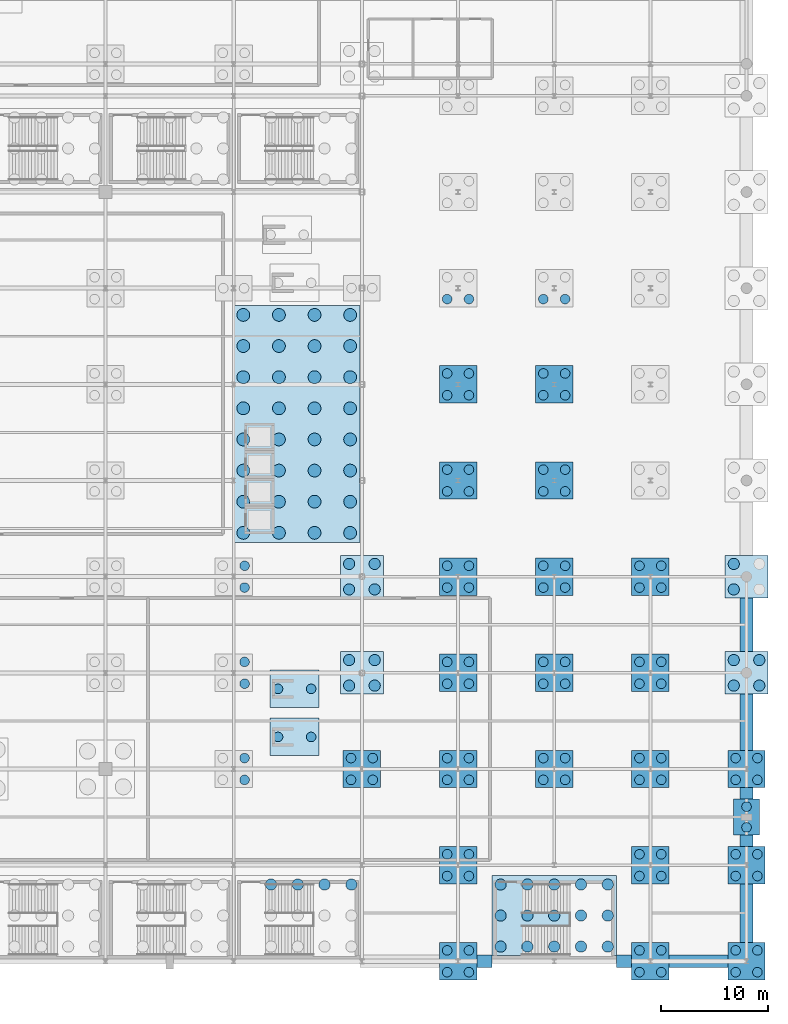
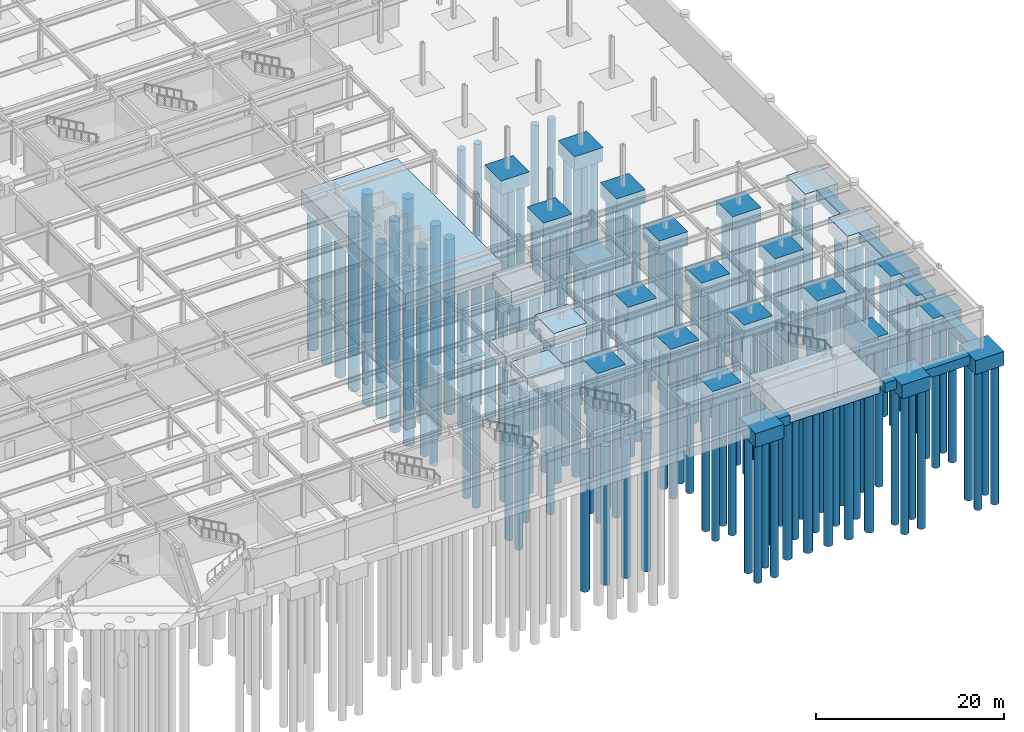
# One storey, part 6 of 47: 165 piles, 38 footings.
"""IFC4 building model written with IfcOpenShell, lengths in metres."""

from ifc_helpers import new_model, si_unit, direction, frame, origin, origin_2d, place, context, subcontext, project, spatial, rectangle, circle, extrude, material, material_profile, profile_set, type_object, element, save


model = new_model("IFC4")

# Units and contexts
model_context = context("Model", 3, precision=1e-05, world=origin(), true_north=direction((0.0, 1.0)))
body_context = subcontext(model_context, "Body", "Model", "MODEL_VIEW")
ifc_project = project(units=[si_unit("LENGTHUNIT", "METRE"), si_unit("AREAUNIT", "SQUARE_METRE"), si_unit("VOLUMEUNIT", "CUBIC_METRE"), si_unit("PLANEANGLEUNIT", "RADIAN"), si_unit("MASSUNIT", "GRAM", prefix="KILO")], contexts=[model_context])

# Site, building, storey
site_placement = place(None, origin())
site = spatial("IfcSite", under=ifc_project, at=site_placement, CompositionType="ELEMENT")
building_placement = place(site_placement, origin())
building = spatial("IfcBuilding", under=site, at=building_placement, Name="Kaldorvane Square Convention Centre", CompositionType="ELEMENT")
storey_placement = place(building_placement, frame((0.0, 0.0, -5.399993896484375)))
storey = spatial("IfcBuildingStorey", under=building, at=storey_placement, Name="B01", CompositionType="ELEMENT", Elevation=-5.399993896484375)

# Footings
ifc_material = material(Name="Concrete f'c = 42 MPa (Normalweight)", Category="concrete")
footing_type_1 = type_object("IfcFootingType", Name="FT-FB-1200X1200", PredefinedType="FOOTING_BEAM", material=ifc_material)
for number, where, z_axis, x_axis, name in (
    (1, (149.4550018310547, 0.0, -1.20001220703125), (0.0, 0.0, 1.0), (1.0, 0.0, 0.0), "Seismic Footing Beam 007"),
    (2, (162.5449981689453, 0.0, -1.20001220703125), (0.0, 0.0, 1.0), (1.0, 0.0, 0.0), "Seismic Footing Beam 008"),
):
    element("IfcFooting", number, at=place(storey_placement, frame(where, z_axis=z_axis, x_axis=x_axis)), inside=storey, type_object=footing_type_1, Name=name, PredefinedType="FOOTING_BEAM", context=body_context, shape_type="SweptSolid", body=[
        extrude(rectangle(XDim=1.410003662109375, YDim=1.1999969482421875, at=origin_2d()), origin(), (0.0, 0.0, 1.0), 1.1999969482421875),
    ])
footing_1_placement = place(storey_placement, frame((169.5, 0.0, -1.20001220703125), z_axis=(0.0, 0.0, 1.0), x_axis=(1.0, 0.0, 0.0)))
element("IfcFooting", 3, at=footing_1_placement, inside=storey, type_object=footing_type_1, Name="Seismic Footing Beam 009", PredefinedType="FOOTING_BEAM", context=body_context, shape_type="SweptSolid", body=[
    extrude(rectangle(XDim=5.5, YDim=1.1999969482421875, at=origin_2d()), origin(), (0.0, 0.0, 1.0), 1.1999969482421875),
])
footing_2_placement = place(storey_placement, frame((174.0, 4.5, -1.20001220703125), z_axis=(0.0, 0.0, 1.0), x_axis=(1.0, 0.0, 0.0)))
element("IfcFooting", 4, at=footing_2_placement, inside=storey, type_object=footing_type_1, Name="Seismic Footing Beam 045", PredefinedType="FOOTING_BEAM", context=body_context, shape_type="SweptSolid", body=[
    extrude(rectangle(XDim=1.1999969482421875, YDim=5.5, at=origin_2d()), origin(), (0.0, 0.0, 1.0), 1.1999969482421875),
])
for number, where, z_axis, x_axis, name in (
    (5, (174.0, 11.274993896484375, -1.20001220703125), (0.0, 0.0, 1.0), (1.0, 0.0, 0.0), "Seismic Footing Beam 046"),
    (6, (174.0, 15.725006103515625, -1.20001220703125), (0.0, 0.0, 1.0), (1.0, 0.0, 0.0), "Seismic Footing Beam 047"),
):
    element("IfcFooting", number, at=place(storey_placement, frame(where, z_axis=z_axis, x_axis=x_axis)), inside=storey, type_object=footing_type_1, Name=name, PredefinedType="FOOTING_BEAM", context=body_context, shape_type="SweptSolid", body=[
        extrude(rectangle(XDim=1.1999969482421875, YDim=1.0500030517578125, at=origin_2d()), origin(), (0.0, 0.0, 1.0), 1.1999969482421875),
    ])
footing_3_placement = place(storey_placement, frame((174.0, 22.375, -1.20001220703125), z_axis=(0.0, 0.0, 1.0), x_axis=(1.0, 0.0, 0.0)))
element("IfcFooting", 7, at=footing_3_placement, inside=storey, type_object=footing_type_1, Name="Seismic Footing Beam 048", PredefinedType="FOOTING_BEAM", context=body_context, shape_type="SweptSolid", body=[
    extrude(rectangle(XDim=1.1999969482421875, YDim=5.25, at=origin_2d()), origin(), (0.0, 0.0, 1.0), 1.1999969482421875),
])
footing_4_placement = place(storey_placement, frame((174.0, 31.5, -1.20001220703125), z_axis=(0.0, 0.0, 1.0), x_axis=(1.0, 0.0, 0.0)))
element("IfcFooting", 8, at=footing_4_placement, inside=storey, type_object=footing_type_1, Name="Seismic Footing Beam 049", PredefinedType="FOOTING_BEAM", context=body_context, shape_type="SweptSolid", body=[
    extrude(rectangle(XDim=1.1999969482421875, YDim=5.0, at=origin_2d()), origin(), (0.0, 0.0, 1.0), 1.1999969482421875),
])
footing_type_2 = type_object("IfcFootingType", Name="FT-PC-2400X3400", PredefinedType="PILE_CAP", material=ifc_material)
footing_5_placement = place(storey_placement, frame((174.0, 13.5, -1.6500091552734375), z_axis=(0.0, 0.0, 1.0), x_axis=(1.0, 0.0, 0.0)))
element("IfcFooting", 9, at=footing_5_placement, inside=storey, type_object=footing_type_2, Name="Pile Cap FC-39-270", PredefinedType="PILE_CAP", context=body_context, shape_type="SweptSolid", body=[
    extrude(rectangle(XDim=2.399993896484375, YDim=3.399993896484375, at=origin_2d()), origin(), (0.0, 0.0, 1.0), 1.649993896484375),
])
footing_type_3 = type_object("IfcFootingType", Name="FT-PC-3500X3500", PredefinedType="PILE_CAP", material=ifc_material)
for number, where, z_axis, x_axis, name in (
    (10, (138.0, 18.0, -1.800018310546875), (0.0, 0.0, 1.0), (1.0, 0.0, 0.0), "Pile Cap FC-36-192"),
    (11, (147.0, 0.0, -1.800018310546875), (0.0, 0.0, 1.0), (1.0, 0.0, 0.0), "Pile Cap FC-36-204"),
    (12, (147.0, 9.0, -1.800018310546875), (0.0, 0.0, 1.0), (1.0, 0.0, 0.0), "Pile Cap FC-36-205"),
    (13, (147.0, 18.0, -1.800018310546875), (0.0, 0.0, 1.0), (1.0, 0.0, 0.0), "Pile Cap FC-36-206"),
    (14, (147.0, 27.0, -1.800018310546875), (0.0, 0.0, 1.0), (1.0, 0.0, 0.0), "Pile Cap FC-36-207"),
    (15, (147.0, 36.0, -1.800018310546875), (0.0, 0.0, 1.0), (1.0, 0.0, 0.0), "Pile Cap FC-36-208"),
    (16, (147.0, 45.0, -1.800018310546875), (0.0, 0.0, 1.0), (1.0, 0.0, 0.0), "Pile Cap FC-36-209"),
    (17, (147.0, 54.0, -1.800018310546875), (0.0, 0.0, 1.0), (1.0, 0.0, 0.0), "Pile Cap FC-36-210"),
    (18, (156.0, 18.0, -1.800018310546875), (0.0, 0.0, 1.0), (1.0, 0.0, 0.0), "Pile Cap FC-36-220"),
    (19, (156.0, 27.0, -1.800018310546875), (0.0, 0.0, 1.0), (1.0, 0.0, 0.0), "Pile Cap FC-36-221"),
    (20, (156.0, 36.0, -1.800018310546875), (0.0, 0.0, 1.0), (1.0, 0.0, 0.0), "Pile Cap FC-36-222"),
    (21, (156.0, 45.0, -1.800018310546875), (0.0, 0.0, 1.0), (1.0, 0.0, 0.0), "Pile Cap FC-36-223"),
    (22, (156.0, 54.0, -1.800018310546875), (0.0, 0.0, 1.0), (1.0, 0.0, 0.0), "Pile Cap FC-36-224"),
    (23, (165.0, 0.0, -1.800018310546875), (0.0, 0.0, 1.0), (1.0, 0.0, 0.0), "Pile Cap FC-36-232"),
    (24, (165.0, 9.0, -1.800018310546875), (0.0, 0.0, 1.0), (1.0, 0.0, 0.0), "Pile Cap FC-36-233"),
    (25, (165.0, 18.0, -1.800018310546875), (0.0, 0.0, 1.0), (1.0, 0.0, 0.0), "Pile Cap FC-36-234"),
    (26, (165.0, 27.0, -1.800018310546875), (0.0, 0.0, 1.0), (1.0, 0.0, 0.0), "Pile Cap FC-36-235"),
    (27, (165.0, 36.0, -1.800018310546875), (0.0, 0.0, 1.0), (1.0, 0.0, 0.0), "Pile Cap FC-36-236"),
    (28, (174.0, 0.0, -1.800018310546875), (0.0, 0.0, 1.0), (1.0, 0.0, 0.0), "Pile Cap FC-36-246"),
    (29, (174.0, 9.0, -1.800018310546875), (0.0, 0.0, 1.0), (1.0, 0.0, 0.0), "Pile Cap FC-36-247"),
    (30, (174.0, 18.0, -1.800018310546875), (0.0, 0.0, 1.0), (1.0, 0.0, 0.0), "Pile Cap FC-36-248"),
):
    element("IfcFooting", number, at=place(storey_placement, frame(where, z_axis=z_axis, x_axis=x_axis)), inside=storey, type_object=footing_type_3, Name=name, PredefinedType="PILE_CAP", context=body_context, shape_type="SweptSolid", body=[
        extrude(rectangle(XDim=3.5, YDim=3.5, at=origin_2d()), origin(), (0.0, 0.0, 1.0), 1.8000030517578125),
    ])
footing_type_4 = type_object("IfcFootingType", Name="FT-PC-4000X4000", PredefinedType="PILE_CAP", material=ifc_material)
for number, where, z_axis, x_axis, name in (
    (31, (138.0, 27.0, -1.9000091552734375), (0.0, 0.0, 1.0), (1.0, 0.0, 0.0), "Pile Cap FC-35-193"),
    (32, (138.0, 36.0, -1.9000091552734375), (0.0, 0.0, 1.0), (1.0, 0.0, 0.0), "Pile Cap FC-35-194"),
    (33, (174.0, 27.0, -1.9000091552734375), (0.0, 0.0, 1.0), (1.0, 0.0, 0.0), "Pile Cap FC-35-249"),
    (34, (174.0, 36.0, -1.9000091552734375), (0.0, 0.0, 1.0), (1.0, 0.0, 0.0), "Pile Cap FC-35-250"),
):
    element("IfcFooting", number, at=place(storey_placement, frame(where, z_axis=z_axis, x_axis=x_axis)), inside=storey, type_object=footing_type_4, Name=name, PredefinedType="PILE_CAP", context=body_context, shape_type="SweptSolid", body=[
        extrude(rectangle(XDim=4.0, YDim=4.0, at=origin_2d()), origin(), (0.0, 0.0, 1.0), 1.899993896484375),
    ])
footing_type_5 = type_object("IfcFootingType", Name="FT-PC-CORE-CE", PredefinedType="PILE_CAP", material=ifc_material)
footing_6_placement = place(storey_placement, frame((131.89999389648438, 50.30000305175781, -2.20001220703125), z_axis=(0.0, 0.0, 1.0), x_axis=(1.0, 0.0, 0.0)))
element("IfcFooting", 35, at=footing_6_placement, inside=storey, type_object=footing_type_5, Name="Core Pile Cap FC-05", PredefinedType="PILE_CAP", context=body_context, shape_type="SweptSolid", body=[
    extrude(rectangle(XDim=11.800003051757812, YDim=22.199996948242188, at=origin_2d()), origin(), (0.0, 0.0, 1.0), 2.1999969482421875),
])
footing_type_6 = type_object("IfcFootingType", Name="FT-PC-FSTR-ST-F1", PredefinedType="PILE_CAP", material=ifc_material)
footing_7_placement = place(storey_placement, frame((131.6999969482422, 21.0, -1.800018310546875), z_axis=(0.0, 0.0, 1.0), x_axis=(1.0, 0.0, 0.0)))
element("IfcFooting", 36, at=footing_7_placement, inside=storey, type_object=footing_type_6, Name="Core Pile Cap FC-24", PredefinedType="PILE_CAP", context=body_context, shape_type="SweptSolid", body=[
    extrude(rectangle(XDim=4.600006103515625, YDim=3.5, at=origin_2d()), origin(), (0.0, 0.0, 1.0), 1.8000030517578125),
])
footing_type_7 = type_object("IfcFootingType", Name="FT-PC-FSTR-ST-F2", PredefinedType="PILE_CAP", material=ifc_material)
footing_8_placement = place(storey_placement, frame((131.6999969482422, 25.5, -1.800018310546875), z_axis=(0.0, 0.0, 1.0), x_axis=(1.0, 0.0, 0.0)))
element("IfcFooting", 37, at=footing_8_placement, inside=storey, type_object=footing_type_7, Name="Core Pile Cap FC-25", PredefinedType="PILE_CAP", context=body_context, shape_type="SweptSolid", body=[
    extrude(rectangle(XDim=4.600006103515625, YDim=3.5, at=origin_2d()), origin(), (0.0, 0.0, 1.0), 1.8000030517578125),
])
footing_type_8 = type_object("IfcFootingType", Name="FT-PC-STAIR-ST-C11", PredefinedType="PILE_CAP", material=ifc_material)
footing_9_placement = place(storey_placement, frame((156.0, 4.279998779296875, -1.95001220703125), z_axis=(0.0, 0.0, 1.0), x_axis=(1.0, 0.0, 0.0)))
element("IfcFooting", 38, at=footing_9_placement, inside=storey, type_object=footing_type_8, Name="Core Pile Cap FC-16", PredefinedType="PILE_CAP", context=body_context, shape_type="SweptSolid", body=[
    extrude(rectangle(XDim=11.67999267578125, YDim=7.4600067138671875, at=origin_2d()), origin(), (0.0, 0.0, 1.0), 1.9499969482421875),
])

# Piles
ifc_material_profile_1 = material_profile(ifc_material, circle(Radius=0.524993896484375, at=origin_2d()), Name="PILE-D1050")
ifc_profile_set_1 = profile_set([ifc_material_profile_1], Name="Concrete f'c = 42 MPa (Normalweight)")
pile_type_1 = type_object("IfcPileType", Name="PL-CIDH-1050", PredefinedType="BORED", material=ifc_profile_set_1)
for number, where, z_axis, x_axis, name in (
    (39, (129.49249267578125, 7.18499755859375, -2.100006103515625), (0.0, 0.0, -1.0), (1.0, 0.0, 0.0), "Bored Pile 0174"),
    (40, (132.0, 7.18499755859375, -2.100006103515625), (0.0, 0.0, -1.0), (1.0, 0.0, 0.0), "Bored Pile 0177"),
    (41, (134.50750732421875, 7.18499755859375, -2.100006103515625), (0.0, 0.0, -1.0), (1.0, 0.0, 0.0), "Bored Pile 0180"),
    (42, (137.01499938964844, 7.18499755859375, -2.100006103515625), (0.0, 0.0, -1.0), (1.0, 0.0, 0.0), "Bored Pile 0183"),
    (43, (150.98500061035156, 1.375, -1.95001220703125), (0.0, 0.0, -1.0), (1.0, 0.0, 0.0), "Bored Pile 0184"),
    (44, (150.98500061035156, 4.279998779296875, -1.95001220703125), (0.0, 0.0, -1.0), (1.0, 0.0, 0.0), "Bored Pile 0185"),
    (45, (150.98500061035156, 7.18499755859375, -1.95001220703125), (0.0, 0.0, -1.0), (1.0, 0.0, 0.0), "Bored Pile 0186"),
    (46, (153.49249267578125, 1.375, -1.95001220703125), (0.0, 0.0, -1.0), (1.0, 0.0, 0.0), "Bored Pile 0187"),
    (47, (153.49249267578125, 4.279998779296875, -1.95001220703125), (0.0, 0.0, -1.0), (1.0, 0.0, 0.0), "Bored Pile 0188"),
    (48, (153.49249267578125, 7.18499755859375, -1.95001220703125), (0.0, 0.0, -1.0), (1.0, 0.0, 0.0), "Bored Pile 0189"),
    (49, (156.0, 1.375, -1.95001220703125), (0.0, 0.0, -1.0), (1.0, 0.0, 0.0), "Bored Pile 0190"),
    (50, (156.0, 4.279998779296875, -1.95001220703125), (0.0, 0.0, -1.0), (1.0, 0.0, 0.0), "Bored Pile 0191"),
    (51, (156.0, 7.18499755859375, -1.95001220703125), (0.0, 0.0, -1.0), (1.0, 0.0, 0.0), "Bored Pile 0192"),
    (52, (158.50750732421875, 1.375, -1.95001220703125), (0.0, 0.0, -1.0), (1.0, 0.0, 0.0), "Bored Pile 0193"),
    (53, (158.50750732421875, 4.279998779296875, -1.95001220703125), (0.0, 0.0, -1.0), (1.0, 0.0, 0.0), "Bored Pile 0194"),
    (54, (158.50750732421875, 7.18499755859375, -1.95001220703125), (0.0, 0.0, -1.0), (1.0, 0.0, 0.0), "Bored Pile 0195"),
    (55, (161.01499938964844, 1.375, -1.95001220703125), (0.0, 0.0, -1.0), (1.0, 0.0, 0.0), "Bored Pile 0196"),
    (56, (161.01499938964844, 4.279998779296875, -1.95001220703125), (0.0, 0.0, -1.0), (1.0, 0.0, 0.0), "Bored Pile 0197"),
    (57, (161.01499938964844, 7.18499755859375, -1.95001220703125), (0.0, 0.0, -1.0), (1.0, 0.0, 0.0), "Bored Pile 0198"),
    (58, (136.80499267578125, 25.80499267578125, -1.9000091552734375), (0.0, 0.0, -1.0), (1.0, 0.0, 0.0), "Bored Pile 0838"),
    (59, (136.80499267578125, 28.19500732421875, -1.9000091552734375), (0.0, 0.0, -1.0), (1.0, 0.0, 0.0), "Bored Pile 0839"),
    (60, (139.19500732421875, 25.80499267578125, -1.9000091552734375), (0.0, 0.0, -1.0), (1.0, 0.0, 0.0), "Bored Pile 0840"),
    (61, (139.19500732421875, 28.19500732421875, -1.9000091552734375), (0.0, 0.0, -1.0), (1.0, 0.0, 0.0), "Bored Pile 0841"),
    (62, (136.80499267578125, 34.80499267578125, -1.9000091552734375), (0.0, 0.0, -1.0), (1.0, 0.0, 0.0), "Bored Pile 0842"),
    (63, (136.80499267578125, 37.19500732421875, -1.9000091552734375), (0.0, 0.0, -1.0), (1.0, 0.0, 0.0), "Bored Pile 0843"),
    (64, (139.19500732421875, 34.80499267578125, -1.9000091552734375), (0.0, 0.0, -1.0), (1.0, 0.0, 0.0), "Bored Pile 0844"),
    (65, (139.19500732421875, 37.19500732421875, -1.9000091552734375), (0.0, 0.0, -1.0), (1.0, 0.0, 0.0), "Bored Pile 0845"),
    (66, (172.80499267578125, 25.80499267578125, -1.9000091552734375), (0.0, 0.0, -1.0), (1.0, 0.0, 0.0), "Bored Pile 1024"),
    (67, (172.80499267578125, 28.19500732421875, -1.9000091552734375), (0.0, 0.0, -1.0), (1.0, 0.0, 0.0), "Bored Pile 1025"),
    (68, (175.19500732421875, 25.80499267578125, -1.9000091552734375), (0.0, 0.0, -1.0), (1.0, 0.0, 0.0), "Bored Pile 1026"),
    (69, (175.19500732421875, 28.19500732421875, -1.9000091552734375), (0.0, 0.0, -1.0), (1.0, 0.0, 0.0), "Bored Pile 1027"),
    (70, (172.80499267578125, 34.80499267578125, -1.9000091552734375), (0.0, 0.0, -1.0), (1.0, 0.0, 0.0), "Bored Pile 1028"),
    (71, (172.80499267578125, 37.19500732421875, -1.9000091552734375), (0.0, 0.0, -1.0), (1.0, 0.0, 0.0), "Bored Pile 1029"),
):
    element("IfcPile", number, at=place(storey_placement, frame(where, z_axis=z_axis, x_axis=x_axis)), inside=storey, type_object=pile_type_1, Name=name, PredefinedType="BORED", context=body_context, shape_type="SweptSolid", body=[
        extrude(circle(Radius=0.524993896484375, at=origin_2d()), origin(), (0.0, 0.0, 1.0), 18.0),
    ])
ifc_material_profile_2 = material_profile(ifc_material, circle(Radius=0.600006103515625, at=origin_2d()), Name="PILE-D1200")
ifc_profile_set_2 = profile_set([ifc_material_profile_2], Name="Concrete f'c = 42 MPa (Normalweight)")
pile_type_2 = type_object("IfcPileType", Name="PL-CIDH-1200", PredefinedType="BORED", material=ifc_profile_set_2)
for number, where, z_axis, x_axis, name in (
    (72, (126.89999389648438, 40.100006103515625, -2.20001220703125), (0.0, 0.0, -1.0), (1.0, 0.0, 0.0), "Bored Pile 0029"),
    (73, (126.89999389648438, 43.01429748535156, -2.20001220703125), (0.0, 0.0, -1.0), (1.0, 0.0, 0.0), "Bored Pile 0030"),
    (74, (126.89999389648438, 45.92860412597656, -2.20001220703125), (0.0, 0.0, -1.0), (1.0, 0.0, 0.0), "Bored Pile 0031"),
    (75, (126.89999389648438, 48.8428955078125, -2.20001220703125), (0.0, 0.0, -1.0), (1.0, 0.0, 0.0), "Bored Pile 0032"),
    (76, (126.89999389648438, 51.75709533691406, -2.20001220703125), (0.0, 0.0, -1.0), (1.0, 0.0, 0.0), "Bored Pile 0033"),
    (77, (126.89999389648438, 54.67140197753906, -2.20001220703125), (0.0, 0.0, -1.0), (1.0, 0.0, 0.0), "Bored Pile 0034"),
    (78, (126.89999389648438, 57.585693359375, -2.20001220703125), (0.0, 0.0, -1.0), (1.0, 0.0, 0.0), "Bored Pile 0035"),
    (79, (126.89999389648438, 60.5, -2.20001220703125), (0.0, 0.0, -1.0), (1.0, 0.0, 0.0), "Bored Pile 0036"),
    (80, (130.23330688476562, 40.100006103515625, -2.20001220703125), (0.0, 0.0, -1.0), (1.0, 0.0, 0.0), "Bored Pile 0037"),
    (81, (130.23330688476562, 43.01429748535156, -2.20001220703125), (0.0, 0.0, -1.0), (1.0, 0.0, 0.0), "Bored Pile 0038"),
    (82, (130.23330688476562, 45.92860412597656, -2.20001220703125), (0.0, 0.0, -1.0), (1.0, 0.0, 0.0), "Bored Pile 0039"),
    (83, (130.23330688476562, 48.8428955078125, -2.20001220703125), (0.0, 0.0, -1.0), (1.0, 0.0, 0.0), "Bored Pile 0040"),
    (84, (130.23330688476562, 51.75709533691406, -2.20001220703125), (0.0, 0.0, -1.0), (1.0, 0.0, 0.0), "Bored Pile 0041"),
    (85, (130.23330688476562, 54.67140197753906, -2.20001220703125), (0.0, 0.0, -1.0), (1.0, 0.0, 0.0), "Bored Pile 0042"),
    (86, (130.23330688476562, 57.585693359375, -2.20001220703125), (0.0, 0.0, -1.0), (1.0, 0.0, 0.0), "Bored Pile 0043"),
    (87, (130.23330688476562, 60.5, -2.20001220703125), (0.0, 0.0, -1.0), (1.0, 0.0, 0.0), "Bored Pile 0044"),
    (88, (133.5666961669922, 40.100006103515625, -2.20001220703125), (0.0, 0.0, -1.0), (1.0, 0.0, 0.0), "Bored Pile 0045"),
    (89, (133.5666961669922, 43.01429748535156, -2.20001220703125), (0.0, 0.0, -1.0), (1.0, 0.0, 0.0), "Bored Pile 0046"),
    (90, (133.5666961669922, 45.92860412597656, -2.20001220703125), (0.0, 0.0, -1.0), (1.0, 0.0, 0.0), "Bored Pile 0047"),
    (91, (133.5666961669922, 48.8428955078125, -2.20001220703125), (0.0, 0.0, -1.0), (1.0, 0.0, 0.0), "Bored Pile 0048"),
    (92, (133.5666961669922, 51.75709533691406, -2.20001220703125), (0.0, 0.0, -1.0), (1.0, 0.0, 0.0), "Bored Pile 0049"),
    (93, (133.5666961669922, 54.67140197753906, -2.20001220703125), (0.0, 0.0, -1.0), (1.0, 0.0, 0.0), "Bored Pile 0050"),
    (94, (133.5666961669922, 57.585693359375, -2.20001220703125), (0.0, 0.0, -1.0), (1.0, 0.0, 0.0), "Bored Pile 0051"),
    (95, (133.5666961669922, 60.5, -2.20001220703125), (0.0, 0.0, -1.0), (1.0, 0.0, 0.0), "Bored Pile 0052"),
    (96, (136.89999389648438, 40.100006103515625, -2.20001220703125), (0.0, 0.0, -1.0), (1.0, 0.0, 0.0), "Bored Pile 0053"),
    (97, (136.89999389648438, 43.01429748535156, -2.20001220703125), (0.0, 0.0, -1.0), (1.0, 0.0, 0.0), "Bored Pile 0054"),
    (98, (136.89999389648438, 45.92860412597656, -2.20001220703125), (0.0, 0.0, -1.0), (1.0, 0.0, 0.0), "Bored Pile 0055"),
    (99, (136.89999389648438, 48.8428955078125, -2.20001220703125), (0.0, 0.0, -1.0), (1.0, 0.0, 0.0), "Bored Pile 0056"),
    (100, (136.89999389648438, 51.75709533691406, -2.20001220703125), (0.0, 0.0, -1.0), (1.0, 0.0, 0.0), "Bored Pile 0057"),
    (101, (136.89999389648438, 54.67140197753906, -2.20001220703125), (0.0, 0.0, -1.0), (1.0, 0.0, 0.0), "Bored Pile 0058"),
    (102, (136.89999389648438, 57.585693359375, -2.20001220703125), (0.0, 0.0, -1.0), (1.0, 0.0, 0.0), "Bored Pile 0059"),
    (103, (136.89999389648438, 60.5, -2.20001220703125), (0.0, 0.0, -1.0), (1.0, 0.0, 0.0), "Bored Pile 0060"),
):
    element("IfcPile", number, at=place(storey_placement, frame(where, z_axis=z_axis, x_axis=x_axis)), inside=storey, type_object=pile_type_2, Name=name, PredefinedType="BORED", context=body_context, shape_type="SweptSolid", body=[
        extrude(circle(Radius=0.600006103515625, at=origin_2d()), origin(), (0.0, 0.0, 1.0), 18.0),
    ])
ifc_material_profile_3 = material_profile(ifc_material, circle(Radius=0.4499969482421875, at=origin_2d()), Name="PILE-D900")
ifc_profile_set_3 = profile_set([ifc_material_profile_3], Name="Concrete f'c = 42 MPa (Normalweight)")
pile_type_3 = type_object("IfcPileType", Name="PL-CIDH-900", PredefinedType="BORED", material=ifc_profile_set_3)
for number, where, z_axis, x_axis, name in (
    (104, (130.14999389648438, 21.0, -1.8000030517578125), (0.0, 0.0, -1.0), (1.0, 0.0, 0.0), "Bored Pile 0296"),
    (105, (133.25, 21.0, -1.8000030517578125), (0.0, 0.0, -1.0), (1.0, 0.0, 0.0), "Bored Pile 0297"),
    (106, (130.14999389648438, 25.5, -1.8000030517578125), (0.0, 0.0, -1.0), (1.0, 0.0, 0.0), "Bored Pile 0298"),
    (107, (133.25, 25.5, -1.8000030517578125), (0.0, 0.0, -1.0), (1.0, 0.0, 0.0), "Bored Pile 0299"),
    (108, (127.02000427246094, 16.979995727539062, -1.8000030517578125), (0.0, 0.0, -1.0), (1.0, 0.0, 0.0), "Bored Pile 0806"),
    (109, (127.02000427246094, 19.020004272460938, -1.8000030517578125), (0.0, 0.0, -1.0), (1.0, 0.0, 0.0), "Bored Pile 0807"),
    (110, (127.02000427246094, 25.979995727539062, -1.8000030517578125), (0.0, 0.0, -1.0), (1.0, 0.0, 0.0), "Bored Pile 0810"),
    (111, (127.02000427246094, 28.020004272460938, -1.8000030517578125), (0.0, 0.0, -1.0), (1.0, 0.0, 0.0), "Bored Pile 0811"),
    (112, (127.02000427246094, 34.97999572753906, -1.8000030517578125), (0.0, 0.0, -1.0), (1.0, 0.0, 0.0), "Bored Pile 0814"),
    (113, (127.02000427246094, 37.02000427246094, -1.8000030517578125), (0.0, 0.0, -1.0), (1.0, 0.0, 0.0), "Bored Pile 0815"),
    (114, (136.97999572753906, 16.979995727539062, -1.8000030517578125), (0.0, 0.0, -1.0), (1.0, 0.0, 0.0), "Bored Pile 0834"),
    (115, (136.97999572753906, 19.020004272460938, -1.8000030517578125), (0.0, 0.0, -1.0), (1.0, 0.0, 0.0), "Bored Pile 0835"),
    (116, (139.02000427246094, 16.979995727539062, -1.8000030517578125), (0.0, 0.0, -1.0), (1.0, 0.0, 0.0), "Bored Pile 0836"),
    (117, (139.02000427246094, 19.020004272460938, -1.8000030517578125), (0.0, 0.0, -1.0), (1.0, 0.0, 0.0), "Bored Pile 0837"),
    (118, (145.97999572753906, -1.0200042724609375, -1.8000030517578125), (0.0, 0.0, -1.0), (1.0, 0.0, 0.0), "Bored Pile 0864"),
    (119, (145.97999572753906, 1.0200042724609375, -1.8000030517578125), (0.0, 0.0, -1.0), (1.0, 0.0, 0.0), "Bored Pile 0865"),
    (120, (148.02000427246094, -1.0200042724609375, -1.8000030517578125), (0.0, 0.0, -1.0), (1.0, 0.0, 0.0), "Bored Pile 0866"),
    (121, (148.02000427246094, 1.0200042724609375, -1.8000030517578125), (0.0, 0.0, -1.0), (1.0, 0.0, 0.0), "Bored Pile 0867"),
    (122, (145.97999572753906, 7.9799957275390625, -1.8000030517578125), (0.0, 0.0, -1.0), (1.0, 0.0, 0.0), "Bored Pile 0868"),
    (123, (145.97999572753906, 10.020004272460938, -1.8000030517578125), (0.0, 0.0, -1.0), (1.0, 0.0, 0.0), "Bored Pile 0869"),
    (124, (148.02000427246094, 7.9799957275390625, -1.8000030517578125), (0.0, 0.0, -1.0), (1.0, 0.0, 0.0), "Bored Pile 0870"),
    (125, (148.02000427246094, 10.020004272460938, -1.8000030517578125), (0.0, 0.0, -1.0), (1.0, 0.0, 0.0), "Bored Pile 0871"),
    (126, (145.97999572753906, 16.979995727539062, -1.8000030517578125), (0.0, 0.0, -1.0), (1.0, 0.0, 0.0), "Bored Pile 0872"),
    (127, (145.97999572753906, 19.020004272460938, -1.8000030517578125), (0.0, 0.0, -1.0), (1.0, 0.0, 0.0), "Bored Pile 0873"),
    (128, (148.02000427246094, 16.979995727539062, -1.8000030517578125), (0.0, 0.0, -1.0), (1.0, 0.0, 0.0), "Bored Pile 0874"),
    (129, (148.02000427246094, 19.020004272460938, -1.8000030517578125), (0.0, 0.0, -1.0), (1.0, 0.0, 0.0), "Bored Pile 0875"),
    (130, (145.97999572753906, 25.979995727539062, -1.8000030517578125), (0.0, 0.0, -1.0), (1.0, 0.0, 0.0), "Bored Pile 0876"),
    (131, (145.97999572753906, 28.020004272460938, -1.8000030517578125), (0.0, 0.0, -1.0), (1.0, 0.0, 0.0), "Bored Pile 0877"),
    (132, (148.02000427246094, 25.979995727539062, -1.8000030517578125), (0.0, 0.0, -1.0), (1.0, 0.0, 0.0), "Bored Pile 0878"),
    (133, (148.02000427246094, 28.020004272460938, -1.8000030517578125), (0.0, 0.0, -1.0), (1.0, 0.0, 0.0), "Bored Pile 0879"),
    (134, (145.97999572753906, 34.97999572753906, -1.8000030517578125), (0.0, 0.0, -1.0), (1.0, 0.0, 0.0), "Bored Pile 0880"),
    (135, (145.97999572753906, 37.02000427246094, -1.8000030517578125), (0.0, 0.0, -1.0), (1.0, 0.0, 0.0), "Bored Pile 0881"),
    (136, (148.02000427246094, 34.97999572753906, -1.8000030517578125), (0.0, 0.0, -1.0), (1.0, 0.0, 0.0), "Bored Pile 0882"),
    (137, (148.02000427246094, 37.02000427246094, -1.8000030517578125), (0.0, 0.0, -1.0), (1.0, 0.0, 0.0), "Bored Pile 0883"),
    (138, (145.97999572753906, 43.97999572753906, -1.8000030517578125), (0.0, 0.0, -1.0), (1.0, 0.0, 0.0), "Bored Pile 0884"),
    (139, (145.97999572753906, 46.02000427246094, -1.8000030517578125), (0.0, 0.0, -1.0), (1.0, 0.0, 0.0), "Bored Pile 0885"),
    (140, (148.02000427246094, 43.97999572753906, -1.8000030517578125), (0.0, 0.0, -1.0), (1.0, 0.0, 0.0), "Bored Pile 0886"),
    (141, (148.02000427246094, 46.02000427246094, -1.8000030517578125), (0.0, 0.0, -1.0), (1.0, 0.0, 0.0), "Bored Pile 0887"),
    (142, (145.97999572753906, 52.97999572753906, -1.8000030517578125), (0.0, 0.0, -1.0), (1.0, 0.0, 0.0), "Bored Pile 0888"),
    (143, (145.97999572753906, 55.02000427246094, -1.8000030517578125), (0.0, 0.0, -1.0), (1.0, 0.0, 0.0), "Bored Pile 0889"),
    (144, (148.02000427246094, 52.97999572753906, -1.8000030517578125), (0.0, 0.0, -1.0), (1.0, 0.0, 0.0), "Bored Pile 0890"),
    (145, (148.02000427246094, 55.02000427246094, -1.8000030517578125), (0.0, 0.0, -1.0), (1.0, 0.0, 0.0), "Bored Pile 0891"),
    (146, (145.97999572753906, 61.97999572753906, -1.8000030517578125), (0.0, 0.0, -1.0), (1.0, 0.0, 0.0), "Bored Pile 0892"),
    (147, (148.02000427246094, 61.97999572753906, -1.8000030517578125), (0.0, 0.0, -1.0), (1.0, 0.0, 0.0), "Bored Pile 0894"),
    (148, (154.97999572753906, 16.979995727539062, -1.8000030517578125), (0.0, 0.0, -1.0), (1.0, 0.0, 0.0), "Bored Pile 0916"),
    (149, (154.97999572753906, 19.020004272460938, -1.8000030517578125), (0.0, 0.0, -1.0), (1.0, 0.0, 0.0), "Bored Pile 0917"),
    (150, (157.02000427246094, 16.979995727539062, -1.8000030517578125), (0.0, 0.0, -1.0), (1.0, 0.0, 0.0), "Bored Pile 0918"),
    (151, (157.02000427246094, 19.020004272460938, -1.8000030517578125), (0.0, 0.0, -1.0), (1.0, 0.0, 0.0), "Bored Pile 0919"),
    (152, (154.97999572753906, 25.979995727539062, -1.8000030517578125), (0.0, 0.0, -1.0), (1.0, 0.0, 0.0), "Bored Pile 0920"),
    (153, (154.97999572753906, 28.020004272460938, -1.8000030517578125), (0.0, 0.0, -1.0), (1.0, 0.0, 0.0), "Bored Pile 0921"),
    (154, (157.02000427246094, 25.979995727539062, -1.8000030517578125), (0.0, 0.0, -1.0), (1.0, 0.0, 0.0), "Bored Pile 0922"),
    (155, (157.02000427246094, 28.020004272460938, -1.8000030517578125), (0.0, 0.0, -1.0), (1.0, 0.0, 0.0), "Bored Pile 0923"),
    (156, (154.97999572753906, 34.97999572753906, -1.8000030517578125), (0.0, 0.0, -1.0), (1.0, 0.0, 0.0), "Bored Pile 0924"),
    (157, (154.97999572753906, 37.02000427246094, -1.8000030517578125), (0.0, 0.0, -1.0), (1.0, 0.0, 0.0), "Bored Pile 0925"),
    (158, (157.02000427246094, 34.97999572753906, -1.8000030517578125), (0.0, 0.0, -1.0), (1.0, 0.0, 0.0), "Bored Pile 0926"),
    (159, (157.02000427246094, 37.02000427246094, -1.8000030517578125), (0.0, 0.0, -1.0), (1.0, 0.0, 0.0), "Bored Pile 0927"),
    (160, (154.97999572753906, 43.97999572753906, -1.8000030517578125), (0.0, 0.0, -1.0), (1.0, 0.0, 0.0), "Bored Pile 0928"),
    (161, (154.97999572753906, 46.02000427246094, -1.8000030517578125), (0.0, 0.0, -1.0), (1.0, 0.0, 0.0), "Bored Pile 0929"),
    (162, (157.02000427246094, 43.97999572753906, -1.8000030517578125), (0.0, 0.0, -1.0), (1.0, 0.0, 0.0), "Bored Pile 0930"),
    (163, (157.02000427246094, 46.02000427246094, -1.8000030517578125), (0.0, 0.0, -1.0), (1.0, 0.0, 0.0), "Bored Pile 0931"),
    (164, (154.97999572753906, 52.97999572753906, -1.8000030517578125), (0.0, 0.0, -1.0), (1.0, 0.0, 0.0), "Bored Pile 0932"),
    (165, (154.97999572753906, 55.02000427246094, -1.8000030517578125), (0.0, 0.0, -1.0), (1.0, 0.0, 0.0), "Bored Pile 0933"),
    (166, (157.02000427246094, 52.97999572753906, -1.8000030517578125), (0.0, 0.0, -1.0), (1.0, 0.0, 0.0), "Bored Pile 0934"),
    (167, (157.02000427246094, 55.02000427246094, -1.8000030517578125), (0.0, 0.0, -1.0), (1.0, 0.0, 0.0), "Bored Pile 0935"),
    (168, (154.97999572753906, 61.97999572753906, -1.8000030517578125), (0.0, 0.0, -1.0), (1.0, 0.0, 0.0), "Bored Pile 0936"),
    (169, (157.02000427246094, 61.97999572753906, -1.8000030517578125), (0.0, 0.0, -1.0), (1.0, 0.0, 0.0), "Bored Pile 0938"),
    (170, (163.97999572753906, -1.0200042724609375, -1.8000030517578125), (0.0, 0.0, -1.0), (1.0, 0.0, 0.0), "Bored Pile 0960"),
    (171, (163.97999572753906, 1.0200042724609375, -1.8000030517578125), (0.0, 0.0, -1.0), (1.0, 0.0, 0.0), "Bored Pile 0961"),
    (172, (166.02000427246094, -1.0200042724609375, -1.8000030517578125), (0.0, 0.0, -1.0), (1.0, 0.0, 0.0), "Bored Pile 0962"),
    (173, (166.02000427246094, 1.0200042724609375, -1.8000030517578125), (0.0, 0.0, -1.0), (1.0, 0.0, 0.0), "Bored Pile 0963"),
    (174, (163.97999572753906, 7.9799957275390625, -1.8000030517578125), (0.0, 0.0, -1.0), (1.0, 0.0, 0.0), "Bored Pile 0964"),
    (175, (163.97999572753906, 10.020004272460938, -1.8000030517578125), (0.0, 0.0, -1.0), (1.0, 0.0, 0.0), "Bored Pile 0965"),
    (176, (166.02000427246094, 7.9799957275390625, -1.8000030517578125), (0.0, 0.0, -1.0), (1.0, 0.0, 0.0), "Bored Pile 0966"),
    (177, (166.02000427246094, 10.020004272460938, -1.8000030517578125), (0.0, 0.0, -1.0), (1.0, 0.0, 0.0), "Bored Pile 0967"),
    (178, (163.97999572753906, 16.979995727539062, -1.8000030517578125), (0.0, 0.0, -1.0), (1.0, 0.0, 0.0), "Bored Pile 0968"),
    (179, (163.97999572753906, 19.020004272460938, -1.8000030517578125), (0.0, 0.0, -1.0), (1.0, 0.0, 0.0), "Bored Pile 0969"),
    (180, (166.02000427246094, 16.979995727539062, -1.8000030517578125), (0.0, 0.0, -1.0), (1.0, 0.0, 0.0), "Bored Pile 0970"),
    (181, (166.02000427246094, 19.020004272460938, -1.8000030517578125), (0.0, 0.0, -1.0), (1.0, 0.0, 0.0), "Bored Pile 0971"),
    (182, (163.97999572753906, 25.979995727539062, -1.8000030517578125), (0.0, 0.0, -1.0), (1.0, 0.0, 0.0), "Bored Pile 0972"),
    (183, (163.97999572753906, 28.020004272460938, -1.8000030517578125), (0.0, 0.0, -1.0), (1.0, 0.0, 0.0), "Bored Pile 0973"),
    (184, (166.02000427246094, 25.979995727539062, -1.8000030517578125), (0.0, 0.0, -1.0), (1.0, 0.0, 0.0), "Bored Pile 0974"),
    (185, (166.02000427246094, 28.020004272460938, -1.8000030517578125), (0.0, 0.0, -1.0), (1.0, 0.0, 0.0), "Bored Pile 0975"),
    (186, (163.97999572753906, 34.97999572753906, -1.8000030517578125), (0.0, 0.0, -1.0), (1.0, 0.0, 0.0), "Bored Pile 0976"),
    (187, (163.97999572753906, 37.02000427246094, -1.8000030517578125), (0.0, 0.0, -1.0), (1.0, 0.0, 0.0), "Bored Pile 0977"),
    (188, (166.02000427246094, 34.97999572753906, -1.8000030517578125), (0.0, 0.0, -1.0), (1.0, 0.0, 0.0), "Bored Pile 0978"),
    (189, (166.02000427246094, 37.02000427246094, -1.8000030517578125), (0.0, 0.0, -1.0), (1.0, 0.0, 0.0), "Bored Pile 0979"),
    (190, (172.97999572753906, -1.0200042724609375, -1.8000030517578125), (0.0, 0.0, -1.0), (1.0, 0.0, 0.0), "Bored Pile 1012"),
    (191, (172.97999572753906, 1.0200042724609375, -1.8000030517578125), (0.0, 0.0, -1.0), (1.0, 0.0, 0.0), "Bored Pile 1013"),
    (192, (175.02000427246094, -1.0200042724609375, -1.8000030517578125), (0.0, 0.0, -1.0), (1.0, 0.0, 0.0), "Bored Pile 1014"),
    (193, (175.02000427246094, 1.0200042724609375, -1.8000030517578125), (0.0, 0.0, -1.0), (1.0, 0.0, 0.0), "Bored Pile 1015"),
    (194, (172.97999572753906, 7.9799957275390625, -1.8000030517578125), (0.0, 0.0, -1.0), (1.0, 0.0, 0.0), "Bored Pile 1016"),
    (195, (172.97999572753906, 10.020004272460938, -1.8000030517578125), (0.0, 0.0, -1.0), (1.0, 0.0, 0.0), "Bored Pile 1017"),
    (196, (175.02000427246094, 7.9799957275390625, -1.8000030517578125), (0.0, 0.0, -1.0), (1.0, 0.0, 0.0), "Bored Pile 1018"),
    (197, (175.02000427246094, 10.020004272460938, -1.8000030517578125), (0.0, 0.0, -1.0), (1.0, 0.0, 0.0), "Bored Pile 1019"),
    (198, (172.97999572753906, 16.979995727539062, -1.8000030517578125), (0.0, 0.0, -1.0), (1.0, 0.0, 0.0), "Bored Pile 1020"),
    (199, (172.97999572753906, 19.020004272460938, -1.8000030517578125), (0.0, 0.0, -1.0), (1.0, 0.0, 0.0), "Bored Pile 1021"),
    (200, (175.02000427246094, 16.979995727539062, -1.8000030517578125), (0.0, 0.0, -1.0), (1.0, 0.0, 0.0), "Bored Pile 1022"),
    (201, (175.02000427246094, 19.020004272460938, -1.8000030517578125), (0.0, 0.0, -1.0), (1.0, 0.0, 0.0), "Bored Pile 1023"),
    (202, (174.0, 12.529998779296875, -1.6500091552734375), (0.0, 0.0, -1.0), (1.0, 0.0, 0.0), "Bored Pile 1076"),
    (203, (174.0, 14.470001220703125, -1.6500091552734375), (0.0, 0.0, -1.0), (1.0, 0.0, 0.0), "Bored Pile 1077"),
):
    element("IfcPile", number, at=place(storey_placement, frame(where, z_axis=z_axis, x_axis=x_axis)), inside=storey, type_object=pile_type_3, Name=name, PredefinedType="BORED", context=body_context, shape_type="SweptSolid", body=[
        extrude(circle(Radius=0.4499969482421875, at=origin_2d()), origin(), (0.0, 0.0, 1.0), 18.0),
    ])

save(model, "model.ifc")
